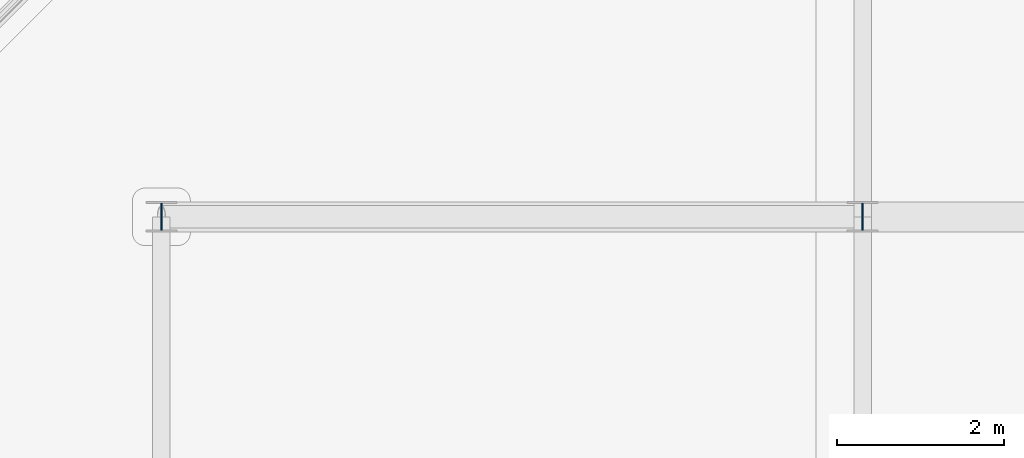
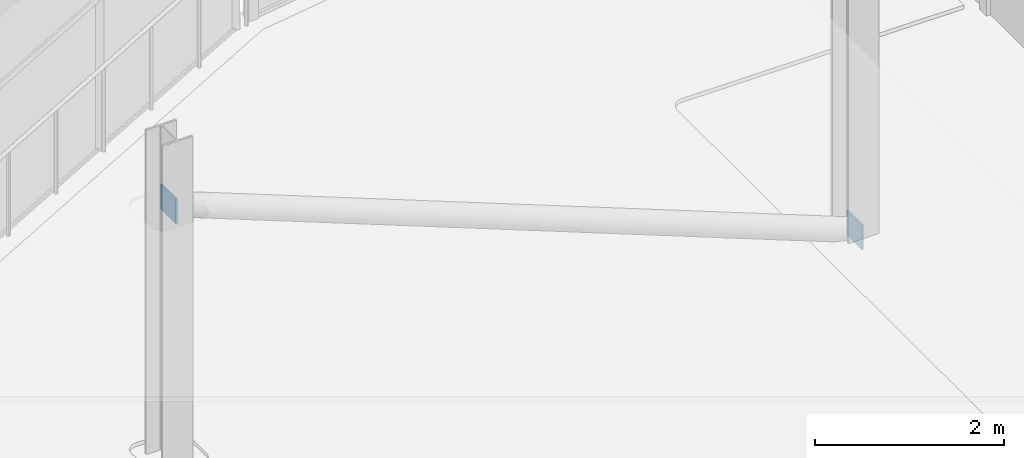
# One storey, part 177 of 217: 2 plates.
"""IFC4 building model written with IfcOpenShell, lengths in metres."""

from ifc_helpers import new_model, si_unit, direction, frame, origin, origin_2d, place, context, subcontext, project, spatial, rectangle, extrude, material, layer, layer_set, type_object, element, save


model = new_model("IFC4")

# Units and contexts
model_context = context("Model", 3, precision=1e-05, world=origin(), true_north=direction((0.0, 1.0)))
body_context = subcontext(model_context, "Body", "Model", "MODEL_VIEW")
ifc_project = project(units=[si_unit("LENGTHUNIT", "METRE"), si_unit("AREAUNIT", "SQUARE_METRE"), si_unit("VOLUMEUNIT", "CUBIC_METRE"), si_unit("PLANEANGLEUNIT", "RADIAN"), si_unit("MASSUNIT", "GRAM", prefix="KILO")], contexts=[model_context])

# Site, building, storey
site_placement = place(None, origin())
site = spatial("IfcSite", under=ifc_project, at=site_placement, CompositionType="ELEMENT")
building_placement = place(site_placement, origin())
building = spatial("IfcBuilding", under=site, at=building_placement, Name="Zuvorla Pavilion Media Centre", CompositionType="ELEMENT")
storey_placement = place(building_placement, frame((0.0, 0.0, 9.60009765625)))
storey = spatial("IfcBuildingStorey", under=building, at=storey_placement, Name="L02", CompositionType="ELEMENT", Elevation=9.60009765625)

# Plates
ifc_material = material(Name="Steel S355", Category="steel")
ifc_layer = layer(ifc_material, 0.02001953125)
ifc_layer_set = layer_set([ifc_layer], Name="Steel S355")
plate_type = type_object("IfcPlateType", Name="PLT-GUS-20", PredefinedType="USERDEFINED", material=ifc_layer_set)
for number, where, z_axis, x_axis, name in (
    (1, (24.800048828125, 82.0, -0.16015625), (0.0, 0.0, 1.0), (1.0, 0.0, 0.0), "L02 gusset plate GP20 205"),
    (2, (16.39990234375, 82.0, 3.11962890625), (0.0, 0.0, 1.0), (1.0, 0.0, 0.0), "L02 gusset plate GP20 206"),
):
    element("IfcPlate", number, at=place(storey_placement, frame(where, z_axis=z_axis, x_axis=x_axis)), inside=storey, type_object=plate_type, Name=name, ObjectType="GUSSET_PLATE", PredefinedType="USERDEFINED", context=body_context, shape_type="SweptSolid", body=[
        extrude(rectangle(XDim=0.02001953125, YDim=0.320068359375, at=origin_2d()), origin(), (0.0, 0.0, 1.0), 0.320068359375),
    ])

save(model, "model.ifc")
